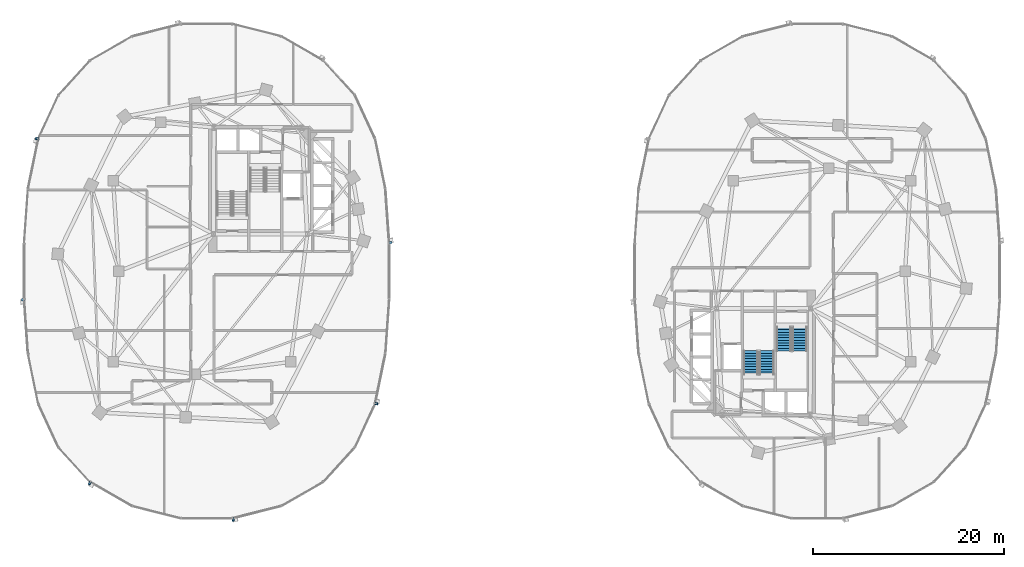
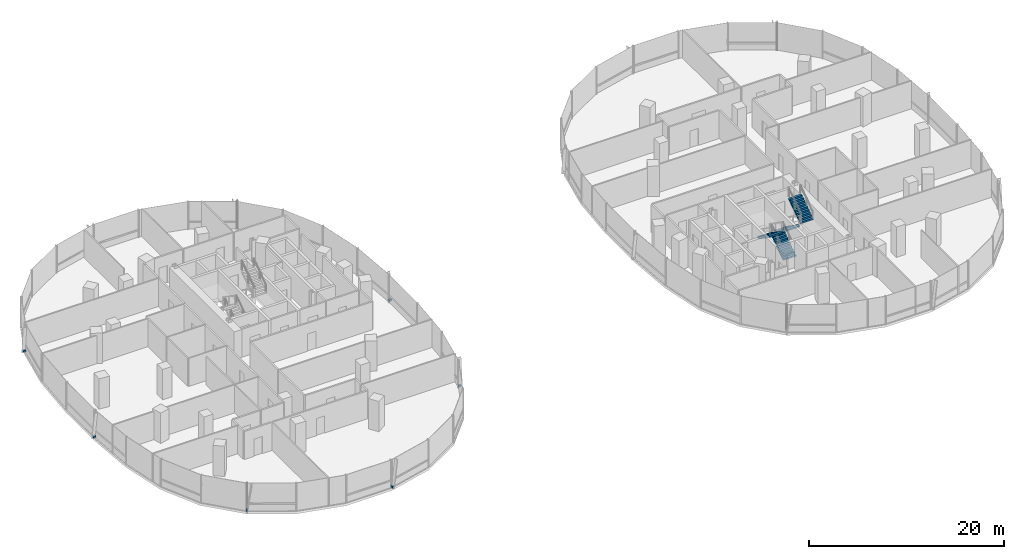
# One storey, part 15 of 22: 6 discrete accessories, 4 stair flights, 2 elements without a shape of their own.
"""IFC4 building model written with IfcOpenShell, lengths in metres."""

from ifc_helpers import new_model, si_unit, direction, frame, origin, origin_2d, place, context, subcontext, project, spatial, polyline, rectangle, outline, extrude, material, type_object, element, aggregate, save


model = new_model("IFC4")

# Units and contexts
model_context = context("Model", 3, precision=1e-05, world=origin(), true_north=direction((0.0, 1.0)))
body_context = subcontext(model_context, "Body", "Model", "MODEL_VIEW")
ifc_project = project(units=[si_unit("LENGTHUNIT", "METRE"), si_unit("AREAUNIT", "SQUARE_METRE"), si_unit("VOLUMEUNIT", "CUBIC_METRE"), si_unit("PLANEANGLEUNIT", "RADIAN"), si_unit("MASSUNIT", "GRAM", prefix="KILO"), si_unit("THERMODYNAMICTEMPERATUREUNIT", "KELVIN"), si_unit("POWERUNIT", "WATT")], contexts=[model_context])

# Site, building, storey
site_placement = place(None, origin())
site = spatial("IfcSite", under=ifc_project, at=site_placement, CompositionType="ELEMENT")
building_placement = place(site_placement, origin())
building = spatial("IfcBuilding", under=site, at=building_placement, Name="Cundina Bronze Exchange", CompositionType="ELEMENT")
storey_placement = place(building_placement, frame((0.0, 0.0, 39.199951171875)))
storey = spatial("IfcBuildingStorey", under=building, at=storey_placement, Name="L09", CompositionType="ELEMENT", Elevation=39.199951171875)

# Stair, stair flights
ifc_material_1 = material(Name="Concrete C40/50", Category="concrete")
stair_type = type_object("IfcStairType", Name="STR-TRD-380", PredefinedType="HALF_TURN_STAIR", material=ifc_material_1)
stair_1_placement = place(storey_placement, origin())
stair_1 = element("IfcStair", 1, at=stair_1_placement, inside=storey, type_object=stair_type, Name="L09 Smokeproof Exit Stair E1", PredefinedType="HALF_TURN_STAIR")
stair_flight_type = type_object("IfcStairFlightType", Name="FLG-TRD-190", PredefinedType="STRAIGHT", material=ifc_material_1)
stair_flight_1_placement = place(storey_placement, frame((28.489990234375, -5.85009765625, 0.0), z_axis=(0.0, 0.0, 1.0), x_axis=(0.0, -1.0, 0.0)))
stair_flight_1 = element("IfcStairFlight", 2, at=stair_flight_1_placement, type_object=stair_flight_type, Name="ST-E1 flight 1", NumberOfRisers=10, NumberOfTreads=9, PredefinedType="STRAIGHT", RiserHeight=0.19, TreadLength=0.28, context=body_context, shape_type="SweptSolid", body=[
    extrude(outline(polyline([(0.0, 0.0), (0.0, 0.18994140625), (0.280029296875, 0.18994140625), (0.280029296875, 0.3798828125), (0.56005859375, 0.3798828125), (0.56005859375, 0.570068359375), (0.840087890625, 0.570068359375), (0.840087890625, 0.760009765625), (1.1201171875, 0.760009765625), (1.1201171875, 0.949951171875), (1.39990234375, 0.949951171875), (1.39990234375, 1.139892578125), (1.679931640625, 1.139892578125), (1.679931640625, 1.330078125), (1.9599609375, 1.330078125), (1.9599609375, 1.52001953125), (2.239990234375, 1.52001953125), (2.239990234375, 1.7099609375), (2.52001953125, 1.7099609375), (2.52001953125, 1.89990234375), (2.52001953125, 1.52880859375), (0.266845703125, 0.0), (0.0, 0.0)])), frame((0.0, 0.75, 0.0), z_axis=(0.0, -1.0, 0.0), x_axis=(1.0, 0.0, 0.0)), (0.0, 0.0, 1.0), 1.5),
])
stair_flight_2_placement = place(storey_placement, frame((30.14990234375, -8.3701171875, 1.900146484375), z_axis=(0.0, 0.0, 1.0), x_axis=(0.0, 1.0, 0.0)))
stair_flight_2 = element("IfcStairFlight", 3, at=stair_flight_2_placement, type_object=stair_flight_type, Name="ST-E1 flight 2", NumberOfRisers=10, NumberOfTreads=9, PredefinedType="STRAIGHT", RiserHeight=0.19, TreadLength=0.28, context=body_context, shape_type="SweptSolid", body=[
    extrude(outline(polyline([(0.0, 0.0), (0.0, 0.18994140625), (0.280029296875, 0.18994140625), (0.280029296875, 0.3798828125), (0.56005859375, 0.3798828125), (0.56005859375, 0.570068359375), (0.840087890625, 0.570068359375), (0.840087890625, 0.760009765625), (1.1201171875, 0.760009765625), (1.1201171875, 0.949951171875), (1.39990234375, 0.949951171875), (1.39990234375, 1.139892578125), (1.679931640625, 1.139892578125), (1.679931640625, 1.330078125), (1.9599609375, 1.330078125), (1.9599609375, 1.52001953125), (2.239990234375, 1.52001953125), (2.239990234375, 1.7099609375), (2.52001953125, 1.7099609375), (2.52001953125, 1.89990234375), (2.52001953125, 1.52880859375), (0.266845703125, 0.0), (0.0, 0.0)])), frame((0.0, 0.75, 0.0), z_axis=(0.0, -1.0, 0.0), x_axis=(1.0, 0.0, 0.0)), (0.0, 0.0, 1.0), 1.5),
])
aggregate(stair_1, [stair_flight_1, stair_flight_2])

stair_2_placement = place(storey_placement, origin())
stair_2 = element("IfcStair", 4, at=stair_2_placement, inside=storey, type_object=stair_type, Name="L09 Smokeproof Exit Stair E2", PredefinedType="HALF_TURN_STAIR")
stair_flight_3_placement = place(storey_placement, frame((26.68994140625, -10.85009765625, 0.0), z_axis=(0.0, 0.0, 1.0), x_axis=(0.0, 1.0, 0.0)))
stair_flight_3 = element("IfcStairFlight", 5, at=stair_flight_3_placement, type_object=stair_flight_type, Name="ST-E2 flight 1", NumberOfRisers=10, NumberOfTreads=9, PredefinedType="STRAIGHT", RiserHeight=0.19, TreadLength=0.28, context=body_context, shape_type="SweptSolid", body=[
    extrude(outline(polyline([(0.0, 0.0), (0.0, 0.18994140625), (0.280029296875, 0.18994140625), (0.280029296875, 0.3798828125), (0.56005859375, 0.3798828125), (0.56005859375, 0.570068359375), (0.840087890625, 0.570068359375), (0.840087890625, 0.760009765625), (1.1201171875, 0.760009765625), (1.1201171875, 0.949951171875), (1.39990234375, 0.949951171875), (1.39990234375, 1.139892578125), (1.679931640625, 1.139892578125), (1.679931640625, 1.330078125), (1.9599609375, 1.330078125), (1.9599609375, 1.52001953125), (2.239990234375, 1.52001953125), (2.239990234375, 1.7099609375), (2.52001953125, 1.7099609375), (2.52001953125, 1.89990234375), (2.52001953125, 1.52880859375), (0.266845703125, 0.0), (0.0, 0.0)])), frame((0.0, 0.75, 0.0), z_axis=(0.0, -1.0, 0.0), x_axis=(1.0, 0.0, 0.0)), (0.0, 0.0, 1.0), 1.5),
])
stair_flight_4_placement = place(storey_placement, frame((25.030029296875, -8.330078125, 1.900146484375), z_axis=(0.0, 0.0, 1.0), x_axis=(0.0, -1.0, 0.0)))
stair_flight_4 = element("IfcStairFlight", 6, at=stair_flight_4_placement, type_object=stair_flight_type, Name="ST-E2 flight 2", NumberOfRisers=10, NumberOfTreads=9, PredefinedType="STRAIGHT", RiserHeight=0.19, TreadLength=0.28, context=body_context, shape_type="SweptSolid", body=[
    extrude(outline(polyline([(0.0, 0.0), (0.0, 0.18994140625), (0.280029296875, 0.18994140625), (0.280029296875, 0.3798828125), (0.56005859375, 0.3798828125), (0.56005859375, 0.570068359375), (0.840087890625, 0.570068359375), (0.840087890625, 0.760009765625), (1.1201171875, 0.760009765625), (1.1201171875, 0.949951171875), (1.39990234375, 0.949951171875), (1.39990234375, 1.139892578125), (1.679931640625, 1.139892578125), (1.679931640625, 1.330078125), (1.9599609375, 1.330078125), (1.9599609375, 1.52001953125), (2.239990234375, 1.52001953125), (2.239990234375, 1.7099609375), (2.52001953125, 1.7099609375), (2.52001953125, 1.89990234375), (2.52001953125, 1.52880859375), (0.266845703125, 0.0), (0.0, 0.0)])), frame((0.0, 0.75, 0.0), z_axis=(0.0, -1.0, 0.0), x_axis=(1.0, 0.0, 0.0)), (0.0, 0.0, 1.0), 1.5),
])
aggregate(stair_2, [stair_flight_3, stair_flight_4])

# Discrete accessories
ifc_material_2 = material(Name="Anodised Bronze Aluminium 6063-T6", Category="aluminium")
discrete_accessory_type = type_object("IfcDiscreteAccessoryType", Name="ACC-BRK-FIN", PredefinedType="BRACKET", material=ifc_material_2)
for number, where, z_axis, x_axis, name in (
    (7, (-12.735595703125, 2.986083984375, 0.10009765625), (0.0, 0.0, 1.0), (-0.070278787473, 0.997527389113, 0.0), "L09 Fin Support Bracket 1"),
    (8, (-49.788330078125, 13.8896484375, 0.10009765625), (0.0, 0.0, 1.0), (-0.201419845156, -0.979505000486, 0.0), "L09 Fin Support Bracket 5"),
    (9, (-51.264404296875, -2.986083984375, 0.10009765625), (0.0, 0.0, 1.0), (0.070278787473, -0.997527389113, 0.0), "L09 Fin Support Bracket 1"),
    (10, (-44.259521484375, -22.21875, 0.10009765625), (0.0, 0.0, 1.0), (0.867105478933, -0.498124571171, 0.0), "L09 Fin Support Bracket 5"),
    (11, (-29.23974609375, -26.03173828125, 0.10009765625), (0.0, 0.0, 1.0), (0.969488149345, 0.245138182011, 0.0), "L09 Fin Support Bracket 1"),
    (12, (-14.211669921875, -13.8896484375, 0.10009765625), (0.0, 0.0, 1.0), (0.201419845156, 0.979505000486, 0.0), "L09 Fin Support Bracket 5"),
):
    element("IfcDiscreteAccessory", number, at=place(storey_placement, frame(where, z_axis=z_axis, x_axis=x_axis)), inside=storey, type_object=discrete_accessory_type, Name=name, PredefinedType="BRACKET", context=body_context, shape_type="SweptSolid", body=[
        extrude(rectangle(XDim=0.219970703125, YDim=0.320068359375, at=origin_2d()), origin(), (0.0, 0.0, 1.0), 0.239990234375),
    ])

save(model, "model.ifc")
